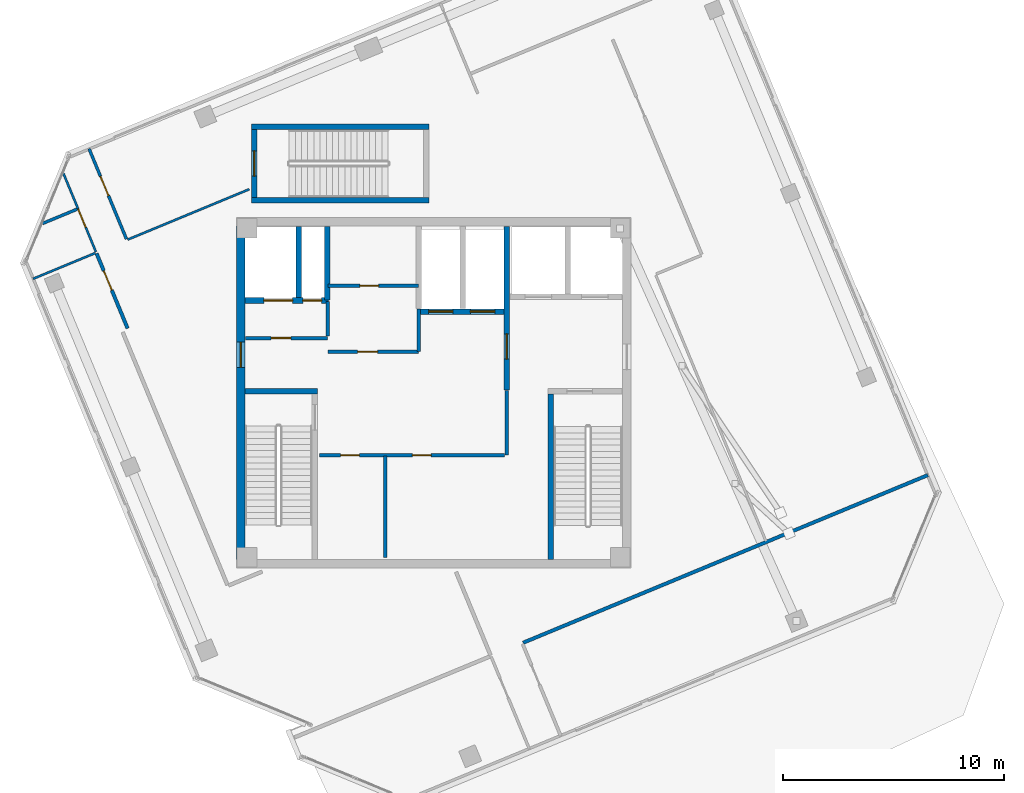
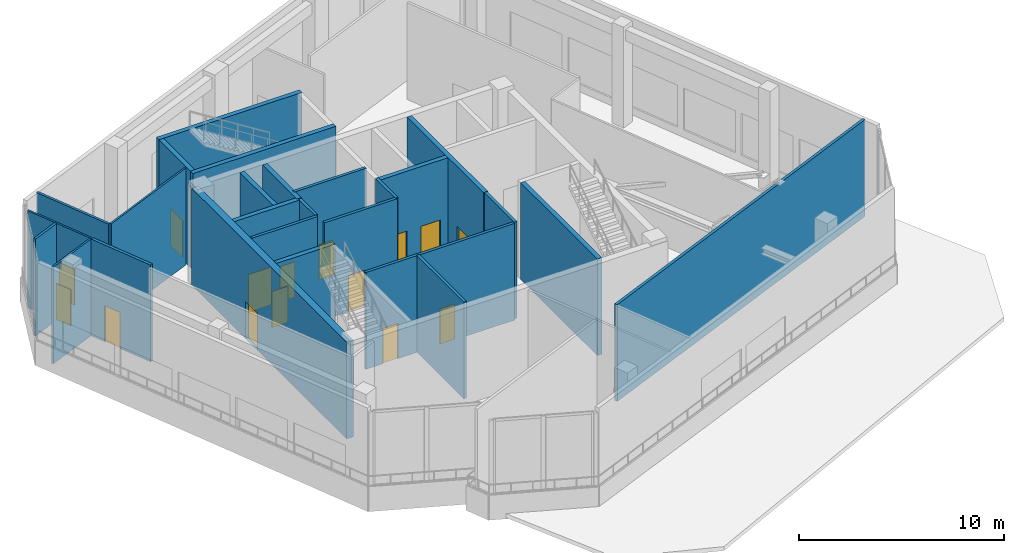
# One storey, part 8 of 16: 26 walls, 15 doors, 15 openings.
"""IFC4 building model written with IfcOpenShell, lengths in metres."""

from ifc_helpers import new_model, si_unit, direction, frame, frame_2d, origin, place, context, subcontext, project, spatial, rectangle, extrude, source, transform, mapped, material, layer, layer_set, type_object, element, fill, save


model = new_model("IFC4")

# Units and contexts
model_context = context("Model", 3, precision=1e-05, world=origin(), true_north=direction((0.0, 1.0)))
body_context = subcontext(model_context, "Body", "Model", "MODEL_VIEW")
ifc_project = project(units=[si_unit("LENGTHUNIT", "METRE"), si_unit("AREAUNIT", "SQUARE_METRE"), si_unit("VOLUMEUNIT", "CUBIC_METRE"), si_unit("PLANEANGLEUNIT", "RADIAN"), si_unit("MASSUNIT", "GRAM", prefix="KILO")], contexts=[model_context])

# Site, building, storey
site_placement = place(None, origin())
site = spatial("IfcSite", under=ifc_project, at=site_placement, CompositionType="ELEMENT")
building_placement = place(site_placement, origin())
building = spatial("IfcBuilding", under=site, at=building_placement, Name="Torre Montelarca", CompositionType="ELEMENT")
storey_placement = place(building_placement, frame((0.0, 0.0, 349.199951171875)))
storey = spatial("IfcBuildingStorey", under=building, at=storey_placement, Name="L79", CompositionType="ELEMENT", Elevation=349.199951171875)

# Walls
ifc_material_1 = material(Name="Concrete C40/50", Category="concrete")
ifc_layer_1 = layer(ifc_material_1, 0.25, Name="Concrete C40/50", Category="concrete")
ifc_layer_set_1 = layer_set([ifc_layer_1], Name="Concrete C40/50")
wall_type_1 = type_object("IfcWallType", Name="CW-SHAFT-250", PredefinedType="SHEAR", material=ifc_layer_set_1)
wall_1_placement = place(storey_placement, frame((9.4599609375, 32.074951171875, 0.0), z_axis=(0.0, 0.0, 1.0), x_axis=(1.0, 0.0, 0.0)))
element("IfcWall", 1, at=wall_1_placement, inside=storey, type_object=wall_type_1, Name="L79 Core Shear Wall SH-ST1-N", PredefinedType="SHEAR", context=body_context, shape_type="SweptSolid", body=[
    extrude(rectangle(XDim=3.2900390625, YDim=0.25, at=frame_2d((1.64501953125, 0.0))), origin(), (0.0, 0.0, 1.0), 5.760009765625),
])
wall_2_placement = place(storey_placement, frame((23.31494140625, 24.4599609375, 0.0), z_axis=(0.0, 0.0, 1.0), x_axis=(0.0, 1.0, 0.0)))
element("IfcWall", 2, at=wall_2_placement, inside=storey, type_object=wall_type_1, Name="L79 Core Shear Wall SH-ST2-W", PredefinedType="SHEAR", context=body_context, shape_type="SweptSolid", body=[
    extrude(rectangle(XDim=7.489990234375, YDim=0.25, at=frame_2d((3.7451171875, 0.0))), origin(), (0.0, 0.0, 1.0), 5.760009765625),
])

# Wall, opening, door
wall_3_placement = place(storey_placement, frame((21.320068359375, 32.1201171875, 0.0), z_axis=(0.0, 0.0, 1.0), x_axis=(0.0, 1.0, 0.0)))
wall_3 = element("IfcWall", 3, at=wall_3_placement, inside=storey, type_object=wall_type_1, Name="L79 Core Shear Wall SH-FFL-W", PredefinedType="SHEAR", context=body_context, shape_type="SweptSolid", body=[
    extrude(rectangle(XDim=7.419921875, YDim=0.25, at=frame_2d((3.7099609375, 0.0))), origin(), (0.0, 0.0, 1.0), 5.760009765625),
])
opening_1_placement = place(wall_3_placement, frame((1.39990234375, 0.0, 0.0)))
opening_1 = element("IfcOpeningElement", 4, at=opening_1_placement, cuts=wall_3, Name="Opening FD-LB1", PredefinedType="OPENING", context=body_context, shape_type="SweptSolid", body=[
    extrude(rectangle(XDim=1.14990234375, YDim=2.199951171875, at=frame_2d((0.574951171875, 1.10009765625))), frame((0.0, 0.135009765625, 0.0), z_axis=(0.0, -1.0, 0.0), x_axis=(1.0, 0.0, 0.0)), (0.0, 0.0, 1.0), 0.27001953125),
])
ifc_material_2 = material(Name="Acoustic timber-veneered fire door", Category="wood")
door_type_1 = type_object("IfcDoorType", Name="DR-LOBBY-115", OperationType="NOTDEFINED", PredefinedType="DOOR", material=ifc_material_2)
shared_shape_1 = source(origin(), body_context, "Body", "SweptSolid", [
    extrude(rectangle(XDim=1.14990234375, YDim=2.199951171875, at=frame_2d((0.574951171875, 1.10009765625))), frame((0.0, 0.02490234375, 0.0), z_axis=(0.0, -1.0, 0.0), x_axis=(1.0, 0.0, 0.0)), (0.0, 0.0, 1.0), 0.050048828125),
])
door_1_placement = place(opening_1_placement, origin())
door_1 = element("IfcDoor", 5, at=door_1_placement, inside=storey, type_object=door_type_1, Name="L79 Lift Lobby to Firefighting Lobby Smoke Door", OperationType="SINGLE_SWING_LEFT", OverallHeight=2.199951171875, OverallWidth=1.14990234375, PredefinedType="DOOR", context=body_context, shape_type="MappedRepresentation", body=[
    mapped(shared_shape_1, transform((0.0, 0.0, 0.0), scale=1.0)),
])
fill(opening_1, door_1)

# Wall, openings, doors
wall_4_placement = place(storey_placement, frame((9.4599609375, 36.179931640625, 0.0), z_axis=(0.0, 0.0, 1.0), x_axis=(1.0, 0.0, 0.0)))
wall_4 = element("IfcWall", 6, at=wall_4_placement, inside=storey, type_object=wall_type_1, Name="L79 Core Shear Wall SH-SV1-S", PredefinedType="SHEAR", context=body_context, shape_type="SweptSolid", body=[
    extrude(rectangle(XDim=3.7900390625, YDim=0.25, at=frame_2d((1.89501953125, 0.0))), origin(), (0.0, 0.0, 1.0), 5.760009765625),
])
opening_2_placement = place(wall_4_placement, frame((2.6201171875, 0.0, 0.0)))
opening_2 = element("IfcOpeningElement", 7, at=opening_2_placement, cuts=wall_4, Name="Opening FD-085", PredefinedType="OPENING", context=body_context, shape_type="SweptSolid", body=[
    extrude(rectangle(XDim=0.85009765625, YDim=2.10009765625, at=frame_2d((0.425048828125, 1.050048828125))), frame((0.0, 0.135009765625, 0.0), z_axis=(0.0, -1.0, 0.0), x_axis=(1.0, 0.0, 0.0)), (0.0, 0.0, 1.0), 0.27001953125),
])
opening_3_placement = place(wall_4_placement, frame((0.85009765625, 0.0, 0.0)))
opening_3 = element("IfcOpeningElement", 8, at=opening_3_placement, cuts=wall_4, Name="Opening LD-130", PredefinedType="OPENING", context=body_context, shape_type="SweptSolid", body=[
    extrude(rectangle(XDim=1.300048828125, YDim=2.25, at=frame_2d((0.64990234375, 1.125))), frame((0.0, 0.135009765625, 0.0), z_axis=(0.0, -1.0, 0.0), x_axis=(1.0, 0.0, 0.0)), (0.0, 0.0, 1.0), 0.27001953125),
])
ifc_material_3 = material(Name="Steel riser access fire door", Category="steel")
door_type_2 = type_object("IfcDoorType", Name="DR-RISER-085", OperationType="NOTDEFINED", PredefinedType="DOOR", material=ifc_material_3)
shared_shape_2 = source(origin(), body_context, "Body", "SweptSolid", [
    extrude(rectangle(XDim=0.85009765625, YDim=2.10009765625, at=frame_2d((0.425048828125, 1.050048828125))), frame((0.0, 0.02490234375, 0.0), z_axis=(0.0, -1.0, 0.0), x_axis=(1.0, 0.0, 0.0)), (0.0, 0.0, 1.0), 0.050048828125),
])
door_2_placement = place(opening_2_placement, origin())
door_2 = element("IfcDoor", 9, at=door_2_placement, inside=storey, type_object=door_type_2, Name="L79 Electrical Riser Shaft Access Door", OperationType="SINGLE_SWING_RIGHT", OverallHeight=2.10009765625, OverallWidth=0.85009765625, PredefinedType="DOOR", context=body_context, shape_type="MappedRepresentation", body=[
    mapped(shared_shape_2, transform((0.0, 0.0, 0.0), scale=1.0)),
])
fill(opening_2, door_2)
ifc_material_4 = material(Name="Brushed stainless steel AISI 316", Category="steel")
door_type_3 = type_object("IfcDoorType", Name="DR-LIFT-130", OperationType="SLIDING_TO_LEFT", PredefinedType="DOOR", material=ifc_material_4)
shared_shape_3 = source(origin(), body_context, "Body", "SweptSolid", [
    extrude(rectangle(XDim=1.300048828125, YDim=2.25, at=frame_2d((0.64990234375, 1.125))), frame((0.0, 0.02490234375, 0.0), z_axis=(0.0, -1.0, 0.0), x_axis=(1.0, 0.0, 0.0)), (0.0, 0.0, 1.0), 0.050048828125),
])
door_3_placement = place(opening_3_placement, origin())
door_3 = element("IfcDoor", 10, at=door_3_placement, inside=storey, type_object=door_type_3, Name="L79 Lift Landing Sliding Door SV-1", OperationType="SLIDING_TO_LEFT", OverallHeight=2.25, OverallWidth=1.300048828125, PredefinedType="DOOR", context=body_context, shape_type="MappedRepresentation", body=[
    mapped(shared_shape_3, transform((0.0, 0.0, 0.0), scale=1.0)),
])
fill(opening_3, door_3)

# Walls
wall_5_placement = place(storey_placement, frame((11.89990234375, 36.31005859375, 0.0), z_axis=(0.0, 0.0, 1.0), x_axis=(0.0, 1.0, 0.0)))
element("IfcWall", 11, at=wall_5_placement, inside=storey, type_object=wall_type_1, Name="L79 Core Shear Wall SH-SV1-E", PredefinedType="SHEAR", context=body_context, shape_type="SweptSolid", body=[
    extrude(rectangle(XDim=3.22998046875, YDim=0.25, at=frame_2d((1.614990234375, 0.0))), origin(), (0.0, 0.0, 1.0), 5.760009765625),
])
wall_6_placement = place(storey_placement, frame((13.179931640625, 36.199951171875, 0.0), z_axis=(0.0, 0.0, 1.0), x_axis=(0.0, 1.0, 0.0)))
element("IfcWall", 12, at=wall_6_placement, inside=storey, type_object=wall_type_1, Name="L79 Core Shear Wall SH-RSR1-E", PredefinedType="SHEAR", context=body_context, shape_type="SweptSolid", body=[
    extrude(rectangle(XDim=3.340087890625, YDim=0.25, at=frame_2d((1.669921875, 0.0))), origin(), (0.0, 0.0, 1.0), 5.760009765625),
])

# Wall, openings, doors
wall_7_placement = place(storey_placement, frame((17.320068359375, 35.679931640625, 0.0), z_axis=(0.0, 0.0, 1.0), x_axis=(1.0, 0.0, 0.0)))
wall_7 = element("IfcWall", 13, at=wall_7_placement, inside=storey, type_object=wall_type_1, Name="L79 Core Shear Wall SH-PLH-S", PredefinedType="SHEAR", context=body_context, shape_type="SweptSolid", body=[
    extrude(rectangle(XDim=3.869873046875, YDim=0.25, at=frame_2d((1.93505859375, 0.0))), origin(), (0.0, 0.0, 1.0), 5.760009765625),
])
opening_4_placement = place(wall_7_placement, frame((0.449951171875, 0.0, 0.0)))
opening_4 = element("IfcOpeningElement", 14, at=opening_4_placement, cuts=wall_7, Name="Opening LD-110", PredefinedType="OPENING", context=body_context, shape_type="SweptSolid", body=[
    extrude(rectangle(XDim=1.10009765625, YDim=2.199951171875, at=frame_2d((0.550048828125, 1.10009765625))), frame((0.0, 0.135009765625, 0.0), z_axis=(0.0, -1.0, 0.0), x_axis=(1.0, 0.0, 0.0)), (0.0, 0.0, 1.0), 0.27001953125),
])
opening_5_placement = place(wall_7_placement, frame((2.35009765625, 0.0, 0.0)))
opening_5 = element("IfcOpeningElement", 15, at=opening_5_placement, cuts=wall_7, Name="Opening LD-110", PredefinedType="OPENING", context=body_context, shape_type="SweptSolid", body=[
    extrude(rectangle(XDim=1.10009765625, YDim=2.199951171875, at=frame_2d((0.550048828125, 1.10009765625))), frame((0.0, 0.135009765625, 0.0), z_axis=(0.0, -1.0, 0.0), x_axis=(1.0, 0.0, 0.0)), (0.0, 0.0, 1.0), 0.27001953125),
])
door_type_4 = type_object("IfcDoorType", Name="DR-LIFT-110", OperationType="SLIDING_TO_LEFT", PredefinedType="DOOR", material=ifc_material_4)
shared_shape_4 = source(origin(), body_context, "Body", "SweptSolid", [
    extrude(rectangle(XDim=1.10009765625, YDim=2.199951171875, at=frame_2d((0.550048828125, 1.10009765625))), frame((0.0, 0.02490234375, 0.0), z_axis=(0.0, -1.0, 0.0), x_axis=(1.0, 0.0, 0.0)), (0.0, 0.0, 1.0), 0.050048828125),
])
door_4_placement = place(opening_4_placement, origin())
door_4 = element("IfcDoor", 16, at=door_4_placement, inside=storey, type_object=door_type_4, Name="L79 Lift Landing Sliding Door PL-H1", OperationType="SLIDING_TO_LEFT", OverallHeight=2.199951171875, OverallWidth=1.10009765625, PredefinedType="DOOR", context=body_context, shape_type="MappedRepresentation", body=[
    mapped(shared_shape_4, transform((0.0, 0.0, 0.0), scale=1.0)),
])
fill(opening_4, door_4)
door_5_placement = place(opening_5_placement, origin())
door_5 = element("IfcDoor", 17, at=door_5_placement, inside=storey, type_object=door_type_4, Name="L79 Lift Landing Sliding Door PL-H2", OperationType="SLIDING_TO_RIGHT", OverallHeight=2.199951171875, OverallWidth=1.10009765625, PredefinedType="DOOR", context=body_context, shape_type="MappedRepresentation", body=[
    mapped(shared_shape_4, transform((0.0, 0.0, 0.0), scale=1.0)),
])
fill(opening_5, door_5)

# Wall, opening, door
wall_8_placement = place(storey_placement, frame((9.875, 40.85009765625, 0.0), z_axis=(0.0, 0.0, 1.0), x_axis=(0.0, 1.0, 0.0)))
wall_8 = element("IfcWall", 18, at=wall_8_placement, inside=storey, type_object=wall_type_1, Name="L79 Core Shear Wall SH-ST5-W", PredefinedType="SHEAR", context=body_context, shape_type="SweptSolid", body=[
    extrude(rectangle(XDim=3.06982421875, YDim=0.25, at=frame_2d((1.534912109375, 0.0))), origin(), (0.0, 0.0, 1.0), 5.760009765625),
])
opening_6_placement = place(wall_8_placement, frame((0.9599609375, 0.0, 0.0)))
opening_6 = element("IfcOpeningElement", 19, at=opening_6_placement, cuts=wall_8, Name="Opening FD-LB1", PredefinedType="OPENING", context=body_context, shape_type="SweptSolid", body=[
    extrude(rectangle(XDim=1.14990234375, YDim=2.199951171875, at=frame_2d((0.574951171875, 1.10009765625))), frame((0.0, 0.135009765625, 0.0), z_axis=(0.0, -1.0, 0.0), x_axis=(1.0, 0.0, 0.0)), (0.0, 0.0, 1.0), 0.27001953125),
])
door_6_placement = place(opening_6_placement, origin())
door_6 = element("IfcDoor", 20, at=door_6_placement, inside=storey, type_object=door_type_1, Name="L79 Observatory Feature Stair ST5 Door", OperationType="SINGLE_SWING_RIGHT", OverallHeight=2.199951171875, OverallWidth=1.14990234375, PredefinedType="DOOR", context=body_context, shape_type="MappedRepresentation", body=[
    mapped(shared_shape_1, transform((0.0, 0.0, 0.0), scale=1.0)),
])
fill(opening_6, door_6)

# Walls
for number, where, z_axis, x_axis, name in (
    (21, (9.75, 40.72509765625, 0.0), (0.0, 0.0, 1.0), (1.0, 0.0, 0.0), "L79 Core Shear Wall SH-ST5-S"),
    (22, (9.75, 44.044921875, 0.0), (0.0, 0.0, 1.0), (1.0, 0.0, 0.0), "L79 Core Shear Wall SH-ST5-N"),
):
    element("IfcWall", number, at=place(storey_placement, frame(where, z_axis=z_axis, x_axis=x_axis)), inside=storey, type_object=wall_type_1, Name=name, PredefinedType="SHEAR", context=body_context, shape_type="SweptSolid", body=[
        extrude(rectangle(XDim=8.050048828125, YDim=0.25, at=frame_2d((4.02490234375, 0.0))), origin(), (0.0, 0.0, 1.0), 5.760009765625),
    ])

# Wall, opening, door
ifc_layer_2 = layer(ifc_material_1, 0.3798828125, Name="Concrete C40/50", Category="concrete")
ifc_layer_set_2 = layer_set([ifc_layer_2], Name="Concrete C40/50")
wall_type_2 = type_object("IfcWallType", Name="CW-SHEAR-380", PredefinedType="SHEAR", material=ifc_layer_set_2)
wall_9_placement = place(storey_placement, frame((9.260009765625, 24.449951171875, 0.0), z_axis=(0.0, 0.0, 1.0), x_axis=(0.0, 1.0, 0.0)))
wall_9 = element("IfcWall", 23, at=wall_9_placement, inside=storey, type_object=wall_type_2, Name="L79 Core Shear Wall CW-W", PredefinedType="SHEAR", context=body_context, shape_type="SweptSolid", body=[
    extrude(rectangle(XDim=15.10009765625, YDim=0.3798828125, at=frame_2d((7.550048828125, 0.0))), origin(), (0.0, 0.0, 1.0), 5.760009765625),
])
opening_7_placement = place(wall_9_placement, frame((8.699951171875, 0.0, 0.0)))
opening_7 = element("IfcOpeningElement", 24, at=opening_7_placement, cuts=wall_9, Name="Opening FD-LB1", PredefinedType="OPENING", context=body_context, shape_type="SweptSolid", body=[
    extrude(rectangle(XDim=1.14990234375, YDim=2.199951171875, at=frame_2d((0.574951171875, 1.10009765625))), frame((0.0, 0.199951171875, 0.0), z_axis=(0.0, -1.0, 0.0), x_axis=(1.0, 0.0, 0.0)), (0.0, 0.0, 1.0), 0.39990234375),
])
door_7_placement = place(opening_7_placement, origin())
door_7 = element("IfcDoor", 25, at=door_7_placement, inside=storey, type_object=door_type_1, Name="L79 Passenger Lift Lobby West Corridor Fire Door", OperationType="SINGLE_SWING_RIGHT", OverallHeight=2.199951171875, OverallWidth=1.14990234375, PredefinedType="DOOR", context=body_context, shape_type="MappedRepresentation", body=[
    mapped(shared_shape_1, transform((0.0, 0.0, 0.0), scale=1.0)),
])
fill(opening_7, door_7)

ifc_material_5 = material(Name="Gypsum plasterboard on steel stud", Category="steel")
ifc_layer_3 = layer(ifc_material_5, 0.159912109375, Name="Gypsum plasterboard on steel stud", Category="steel")
ifc_layer_set_3 = layer_set([ifc_layer_3], Name="Gypsum plasterboard on steel stud")
wall_type_3 = type_object("IfcWallType", Name="PW-FIRE-160", PredefinedType="PARTITIONING", material=ifc_layer_set_3)
wall_10_placement = place(storey_placement, frame((9.489990234375, 34.47998046875, 0.0), z_axis=(0.0, 0.0, 1.0), x_axis=(1.0, 0.0, 0.0)))
wall_10 = element("IfcWall", 26, at=wall_10_placement, inside=storey, type_object=wall_type_3, Name="L79 Interior Partition CW-L79-SVS", PredefinedType="PARTITIONING", context=body_context, shape_type="SweptSolid", body=[
    extrude(rectangle(XDim=3.699951171875, YDim=0.159912109375, at=frame_2d((1.85009765625, 0.0))), origin(), (0.0, 0.0, 1.0), 5.760009765625),
])
opening_8_placement = place(wall_10_placement, frame((1.14990234375, 0.0, 0.0)))
opening_8 = element("IfcOpeningElement", 27, at=opening_8_placement, cuts=wall_10, Name="Opening FD-090", PredefinedType="OPENING", context=body_context, shape_type="SweptSolid", body=[
    extrude(rectangle(XDim=0.89990234375, YDim=2.14990234375, at=frame_2d((0.449951171875, 1.074951171875))), frame((0.0, 0.08984375, 0.0), z_axis=(0.0, -1.0, 0.0), x_axis=(1.0, 0.0, 0.0)), (0.0, 0.0, 1.0), 0.179931640625),
])
ifc_material_6 = material(Name="Steel service fire door", Category="steel")
door_type_5 = type_object("IfcDoorType", Name="DR-FIRE-090", OperationType="NOTDEFINED", PredefinedType="DOOR", material=ifc_material_6)
shared_shape_5 = source(origin(), body_context, "Body", "SweptSolid", [
    extrude(rectangle(XDim=0.89990234375, YDim=2.14990234375, at=frame_2d((0.449951171875, 1.074951171875))), frame((0.0, 0.02490234375, 0.0), z_axis=(0.0, -1.0, 0.0), x_axis=(1.0, 0.0, 0.0)), (0.0, 0.0, 1.0), 0.050048828125),
])
door_8_placement = place(opening_8_placement, origin())
door_8 = element("IfcDoor", 28, at=door_8_placement, inside=storey, type_object=door_type_5, Name="L79 Interior Door 01", OperationType="SINGLE_SWING_RIGHT", OverallHeight=2.14990234375, OverallWidth=0.89990234375, PredefinedType="DOOR", context=body_context, shape_type="MappedRepresentation", body=[
    mapped(shared_shape_5, transform((0.0, 0.0, 0.0), scale=1.0)),
])
fill(opening_8, door_8)

# Wall
wall_11_placement = place(storey_placement, frame((13.199951171875, 34.570068359375, 0.0), z_axis=(0.0, 0.0, 1.0), x_axis=(0.0, 1.0, 0.0)))
element("IfcWall", 29, at=wall_11_placement, inside=storey, type_object=wall_type_3, Name="L79 Interior Partition CW-L79-SVE", PredefinedType="PARTITIONING", context=body_context, shape_type="SweptSolid", body=[
    extrude(rectangle(XDim=1.56982421875, YDim=0.159912109375, at=frame_2d((0.784912109375, 0.0))), origin(), (0.0, 0.0, 1.0), 5.760009765625),
])

# Wall, opening, door
wall_12_placement = place(storey_placement, frame((13.2099609375, 33.85009765625, 0.0), z_axis=(0.0, 0.0, 1.0), x_axis=(1.0, 0.0, 0.0)))
wall_12 = element("IfcWall", 30, at=wall_12_placement, inside=storey, type_object=wall_type_3, Name="L79 Interior Partition CW-L79-FRMS", PredefinedType="PARTITIONING", context=body_context, shape_type="SweptSolid", body=[
    extrude(rectangle(XDim=4.10009765625, YDim=0.159912109375, at=frame_2d((2.050048828125, 0.0))), origin(), (0.0, 0.0, 1.0), 5.760009765625),
])
opening_9_placement = place(wall_12_placement, frame((1.35009765625, 0.0, 0.0)))
opening_9 = element("IfcOpeningElement", 31, at=opening_9_placement, cuts=wall_12, Name="Opening FD-090", PredefinedType="OPENING", context=body_context, shape_type="SweptSolid", body=[
    extrude(rectangle(XDim=0.89990234375, YDim=2.14990234375, at=frame_2d((0.449951171875, 1.074951171875))), frame((0.0, 0.08984375, 0.0), z_axis=(0.0, -1.0, 0.0), x_axis=(1.0, 0.0, 0.0)), (0.0, 0.0, 1.0), 0.179931640625),
])
door_9_placement = place(opening_9_placement, origin())
door_9 = element("IfcDoor", 32, at=door_9_placement, inside=storey, type_object=door_type_5, Name="L79 Interior Door 02", OperationType="SINGLE_SWING_LEFT", OverallHeight=2.14990234375, OverallWidth=0.89990234375, PredefinedType="DOOR", context=body_context, shape_type="MappedRepresentation", body=[
    mapped(shared_shape_5, transform((0.0, 0.0, 0.0), scale=1.0)),
])
fill(opening_9, door_9)

# Wall
wall_13_placement = place(storey_placement, frame((17.320068359375, 33.860107421875, 0.0), z_axis=(0.0, 0.0, 1.0), x_axis=(0.0, 1.0, 0.0)))
element("IfcWall", 33, at=wall_13_placement, inside=storey, type_object=wall_type_3, Name="L79 Interior Partition CW-L79-FRME", PredefinedType="PARTITIONING", context=body_context, shape_type="SweptSolid", body=[
    extrude(rectangle(XDim=1.929931640625, YDim=0.159912109375, at=frame_2d((0.96484375, 0.0))), origin(), (0.0, 0.0, 1.0), 5.760009765625),
])

# Wall, opening, door
wall_14_placement = place(storey_placement, frame((13.2099609375, 36.85009765625, 0.0), z_axis=(0.0, 0.0, 1.0), x_axis=(1.0, 0.0, 0.0)))
wall_14 = element("IfcWall", 34, at=wall_14_placement, inside=storey, type_object=wall_type_3, Name="L79 Interior Partition CW-L79-FRMD", PredefinedType="PARTITIONING", context=body_context, shape_type="SweptSolid", body=[
    extrude(rectangle(XDim=4.10009765625, YDim=0.159912109375, at=frame_2d((2.050048828125, 0.0))), origin(), (0.0, 0.0, 1.0), 5.760009765625),
])
opening_10_placement = place(wall_14_placement, frame((1.449951171875, 0.0, 0.0)))
opening_10 = element("IfcOpeningElement", 35, at=opening_10_placement, cuts=wall_14, Name="Opening FD-085", PredefinedType="OPENING", context=body_context, shape_type="SweptSolid", body=[
    extrude(rectangle(XDim=0.85009765625, YDim=2.10009765625, at=frame_2d((0.425048828125, 1.050048828125))), frame((0.0, 0.08984375, 0.0), z_axis=(0.0, -1.0, 0.0), x_axis=(1.0, 0.0, 0.0)), (0.0, 0.0, 1.0), 0.179931640625),
])
door_10_placement = place(opening_10_placement, origin())
door_10 = element("IfcDoor", 36, at=door_10_placement, inside=storey, type_object=door_type_2, Name="L79 Interior Door 03", OperationType="SINGLE_SWING_RIGHT", OverallHeight=2.10009765625, OverallWidth=0.85009765625, PredefinedType="DOOR", context=body_context, shape_type="MappedRepresentation", body=[
    mapped(shared_shape_2, transform((0.0, 0.0, 0.0), scale=1.0)),
])
fill(opening_10, door_10)

# Wall, openings, doors
wall_15_placement = place(storey_placement, frame((12.840087890625, 29.179931640625, 0.0), z_axis=(0.0, 0.0, 1.0), x_axis=(1.0, 0.0, 0.0)))
wall_15 = element("IfcWall", 37, at=wall_15_placement, inside=storey, type_object=wall_type_3, Name="L79 Interior Partition CW-L79-FRDN", PredefinedType="PARTITIONING", context=body_context, shape_type="SweptSolid", body=[
    extrude(rectangle(XDim=8.369873046875, YDim=0.159912109375, at=frame_2d((4.18505859375, 0.0))), origin(), (0.0, 0.0, 1.0), 5.760009765625),
])
opening_11_placement = place(wall_15_placement, frame((0.949951171875, 0.0, 0.0)))
opening_11 = element("IfcOpeningElement", 38, at=opening_11_placement, cuts=wall_15, Name="Opening FD-085", PredefinedType="OPENING", context=body_context, shape_type="SweptSolid", body=[
    extrude(rectangle(XDim=0.85009765625, YDim=2.10009765625, at=frame_2d((0.425048828125, 1.050048828125))), frame((0.0, 0.08984375, 0.0), z_axis=(0.0, -1.0, 0.0), x_axis=(1.0, 0.0, 0.0)), (0.0, 0.0, 1.0), 0.179931640625),
])
opening_12_placement = place(wall_15_placement, frame((4.199951171875, 0.0, 0.0)))
opening_12 = element("IfcOpeningElement", 39, at=opening_12_placement, cuts=wall_15, Name="Opening FD-085", PredefinedType="OPENING", context=body_context, shape_type="SweptSolid", body=[
    extrude(rectangle(XDim=0.85009765625, YDim=2.10009765625, at=frame_2d((0.425048828125, 1.050048828125))), frame((0.0, 0.08984375, 0.0), z_axis=(0.0, -1.0, 0.0), x_axis=(1.0, 0.0, 0.0)), (0.0, 0.0, 1.0), 0.179931640625),
])
door_11_placement = place(opening_11_placement, origin())
door_11 = element("IfcDoor", 40, at=door_11_placement, inside=storey, type_object=door_type_2, Name="L79 Interior Door 04", OperationType="SINGLE_SWING_LEFT", OverallHeight=2.10009765625, OverallWidth=0.85009765625, PredefinedType="DOOR", context=body_context, shape_type="MappedRepresentation", body=[
    mapped(shared_shape_2, transform((0.0, 0.0, 0.0), scale=1.0)),
])
fill(opening_11, door_11)
door_12_placement = place(opening_12_placement, origin())
door_12 = element("IfcDoor", 41, at=door_12_placement, inside=storey, type_object=door_type_2, Name="L79 Interior Door 05", OperationType="SINGLE_SWING_RIGHT", OverallHeight=2.10009765625, OverallWidth=0.85009765625, PredefinedType="DOOR", context=body_context, shape_type="MappedRepresentation", body=[
    mapped(shared_shape_2, transform((0.0, 0.0, 0.0), scale=1.0)),
])
fill(opening_12, door_12)

# Walls
wall_16_placement = place(storey_placement, frame((15.800048828125, 24.5400390625, 0.0), z_axis=(0.0, 0.0, 1.0), x_axis=(0.0, 1.0, 0.0)))
element("IfcWall", 42, at=wall_16_placement, inside=storey, type_object=wall_type_3, Name="L79 Interior Partition CW-L79-FRD1", PredefinedType="PARTITIONING", context=body_context, shape_type="SweptSolid", body=[
    extrude(rectangle(XDim=4.599853515625, YDim=0.159912109375, at=frame_2d((2.2998046875, 0.0))), origin(), (0.0, 0.0, 1.0), 5.760009765625),
])
wall_17_placement = place(storey_placement, frame((21.320068359375, 29.18994140625, 0.0), z_axis=(0.0, 0.0, 1.0), x_axis=(0.0, 1.0, 0.0)))
element("IfcWall", 43, at=wall_17_placement, inside=storey, type_object=wall_type_3, Name="L79 Interior Partition CW-L79-FRE", PredefinedType="PARTITIONING", context=body_context, shape_type="SweptSolid", body=[
    extrude(rectangle(XDim=2.920166015625, YDim=0.159912109375, at=frame_2d((1.4599609375, 0.0))), origin(), (0.0, 0.0, 1.0), 5.760009765625),
])

# Wall, opening, door
wall_18_placement = place(storey_placement, frame((2.737060546875, 38.31005859375, 0.0), z_axis=(0.0, 0.0, 1.0), x_axis=(0.382706260748, -0.923870076355, 0.0)))
wall_18 = element("IfcWall", 44, at=wall_18_placement, inside=storey, type_object=wall_type_3, Name="L79 Interior Partition W-L79-SOCCN", PredefinedType="PARTITIONING", context=body_context, shape_type="SweptSolid", body=[
    extrude(rectangle(XDim=3.669921875, YDim=0.159912109375, at=frame_2d((1.8349609375, 0.0))), origin(), (0.0, 0.0, 1.0), 5.760009765625),
])
opening_13_placement = place(wall_18_placement, frame((0.85009765625, 0.0, 0.0)))
opening_13 = element("IfcOpeningElement", 45, at=opening_13_placement, cuts=wall_18, Name="Opening FD-095", PredefinedType="OPENING", context=body_context, shape_type="SweptSolid", body=[
    extrude(rectangle(XDim=0.949951171875, YDim=2.14990234375, at=frame_2d((0.47509765625, 1.074951171875))), frame((0.0, 0.08984375, 0.0), z_axis=(0.0, -1.0, 0.0), x_axis=(1.0, 0.0, 0.0)), (0.0, 0.0, 1.0), 0.179931640625),
])
ifc_material_7 = material(Name="Timber fire-rated room door", Category="wood")
door_type_6 = type_object("IfcDoorType", Name="DR-FIRE-095", OperationType="NOTDEFINED", PredefinedType="DOOR", material=ifc_material_7)
shared_shape_6 = source(origin(), body_context, "Body", "SweptSolid", [
    extrude(rectangle(XDim=0.949951171875, YDim=2.14990234375, at=frame_2d((0.47509765625, 1.074951171875))), frame((0.0, 0.02490234375, 0.0), z_axis=(0.0, -1.0, 0.0), x_axis=(1.0, 0.0, 0.0)), (0.0, 0.0, 1.0), 0.050048828125),
])
door_13_placement = place(opening_13_placement, origin())
door_13 = element("IfcDoor", 46, at=door_13_placement, inside=storey, type_object=door_type_6, Name="L79 Interior Door 08", OperationType="SINGLE_SWING_LEFT", OverallHeight=2.14990234375, OverallWidth=0.949951171875, PredefinedType="DOOR", context=body_context, shape_type="MappedRepresentation", body=[
    mapped(shared_shape_6, transform((0.0, 0.0, 0.0), scale=1.0)),
])
fill(opening_13, door_13)

# Wall
wall_19_placement = place(storey_placement, frame((22.05419921875, 20.680419921875, 0.0), z_axis=(0.0, 0.0, 1.0), x_axis=(0.923880950116, 0.382680009946, 0.0)))
element("IfcWall", 47, at=wall_19_placement, inside=storey, type_object=wall_type_3, Name="L79 Interior Partition W-L79-ECN", PredefinedType="PARTITIONING", context=body_context, shape_type="SweptSolid", body=[
    extrude(rectangle(XDim=19.83984375, YDim=0.159912109375, at=frame_2d((9.919921875, 0.0))), origin(), (0.0, 0.0, 1.0), 5.760009765625),
])

# Wall, opening, door
ifc_material_8 = material(Name="Acoustic laminated glass partition", Category="glass")
ifc_layer_4 = layer(ifc_material_8, 0.10009765625, Name="Acoustic laminated glass partition", Category="glass")
ifc_layer_set_4 = layer_set([ifc_layer_4], Name="Acoustic laminated glass partition")
wall_type_4 = type_object("IfcWallType", Name="PW-GLAZ-100", PredefinedType="PARTITIONING", material=ifc_layer_set_4)
wall_20_placement = place(storey_placement, frame((1.232421875, 41.942626953125, 0.0), z_axis=(0.0, 0.0, 1.0), x_axis=(0.382652221475, -0.923892459868, 0.0)))
wall_20 = element("IfcWall", 48, at=wall_20_placement, inside=storey, type_object=wall_type_4, Name="L79 Interior Partition W-L79-WCN", PredefinedType="PARTITIONING", context=body_context, shape_type="SweptSolid", body=[
    extrude(rectangle(XDim=3.851806640625, YDim=0.10009765625, at=frame_2d((1.92578125, 0.0))), origin(), (0.0, 0.0, 1.0), 5.760009765625),
])
opening_14_placement = place(wall_20_placement, frame((1.75, 0.0, 0.0)))
opening_14 = element("IfcOpeningElement", 49, at=opening_14_placement, cuts=wall_20, Name="Opening ID-090", PredefinedType="OPENING", context=body_context, shape_type="SweptSolid", body=[
    extrude(rectangle(XDim=0.89990234375, YDim=2.14990234375, at=frame_2d((0.449951171875, 1.074951171875))), frame((0.0, 0.06005859375, 0.0), z_axis=(0.0, -1.0, 0.0), x_axis=(1.0, 0.0, 0.0)), (0.0, 0.0, 1.0), 0.1201171875),
])
ifc_material_9 = material(Name="Hardwood acoustic timber veneer", Category="wood")
door_type_7 = type_object("IfcDoorType", Name="DR-INT-090", OperationType="NOTDEFINED", PredefinedType="DOOR", material=ifc_material_9)
shared_shape_7 = source(origin(), body_context, "Body", "SweptSolid", [
    extrude(rectangle(XDim=0.89990234375, YDim=2.14990234375, at=frame_2d((0.449951171875, 1.074951171875))), frame((0.0, 0.02490234375, 0.0), z_axis=(0.0, -1.0, 0.0), x_axis=(1.0, 0.0, 0.0)), (0.0, 0.0, 1.0), 0.050048828125),
])
door_14_placement = place(opening_14_placement, origin())
door_14 = element("IfcDoor", 50, at=door_14_placement, inside=storey, type_object=door_type_7, Name="L79 Interior Door 06", OperationType="SINGLE_SWING_LEFT", OverallHeight=2.14990234375, OverallWidth=0.89990234375, PredefinedType="DOOR", context=body_context, shape_type="MappedRepresentation", body=[
    mapped(shared_shape_7, transform((0.0, 0.0, 0.0), scale=1.0)),
])
fill(opening_14, door_14)

# Walls
wall_21_placement = place(storey_placement, frame((-0.142333984375, 37.16064453125, 0.0), z_axis=(0.0, 0.0, 1.0), x_axis=(0.923868053335, 0.382711144374, 0.0)))
element("IfcWall", 51, at=wall_21_placement, inside=storey, type_object=wall_type_4, Name="L79 Interior Partition W-L79-SWCDIV", PredefinedType="PARTITIONING", context=body_context, shape_type="SweptSolid", body=[
    extrude(rectangle(XDim=3.06005859375, YDim=0.10009765625, at=frame_2d((1.530029296875, 0.0))), origin(), (0.0, 0.0, 1.0), 5.760009765625),
])
wall_22_placement = place(storey_placement, frame((4.14453125, 38.936279296875, 0.0), z_axis=(0.0, 0.0, 1.0), x_axis=(0.923878093623, 0.38268690613, 0.0)))
element("IfcWall", 52, at=wall_22_placement, inside=storey, type_object=wall_type_4, Name="L79 Interior Partition W-L79-WPKE", PredefinedType="PARTITIONING", context=body_context, shape_type="SweptSolid", body=[
    extrude(rectangle(XDim=5.96240234375, YDim=0.10009765625, at=frame_2d((2.981201171875, 0.0))), origin(), (0.0, 0.0, 1.0), 5.760009765625),
])
ifc_layer_5 = layer(ifc_material_5, 0.135009765625, Name="Gypsum plasterboard on steel stud", Category="steel")
ifc_layer_set_5 = layer_set([ifc_layer_5], Name="Gypsum plasterboard on steel stud")
wall_type_5 = type_object("IfcWallType", Name="PW-PART-135", PredefinedType="PARTITIONING", material=ifc_layer_set_5)
wall_23_placement = place(storey_placement, frame((0.28955078125, 39.666748046875, 0.0), z_axis=(0.0, 0.0, 1.0), x_axis=(0.923855963606, 0.38274032778, 0.0)))
element("IfcWall", 53, at=wall_23_placement, inside=storey, type_object=wall_type_5, Name="L79 Interior Partition W-L79-WCD", PredefinedType="PARTITIONING", context=body_context, shape_type="SweptSolid", body=[
    extrude(rectangle(XDim=1.701904296875, YDim=0.135009765625, at=frame_2d((0.85107421875, 0.0))), origin(), (0.0, 0.0, 1.0), 5.760009765625),
])

# Wall, opening, door
wall_24_placement = place(storey_placement, frame((2.39697265625, 43.05078125, 0.0), z_axis=(0.0, 0.0, 1.0), x_axis=(0.382689257808, -0.923877119512, 0.0)))
wall_24 = element("IfcWall", 54, at=wall_24_placement, inside=storey, type_object=wall_type_5, Name="L79 Interior Partition W-L79-WPKS", PredefinedType="PARTITIONING", context=body_context, shape_type="SweptSolid", body=[
    extrude(rectangle(XDim=4.429931640625, YDim=0.135009765625, at=frame_2d((2.21484375, 0.0))), origin(), (0.0, 0.0, 1.0), 5.760009765625),
])
opening_15_placement = place(wall_24_placement, frame((1.35009765625, 0.0, 0.0)))
opening_15 = element("IfcOpeningElement", 55, at=opening_15_placement, cuts=wall_24, Name="Opening ID-095", PredefinedType="OPENING", context=body_context, shape_type="SweptSolid", body=[
    extrude(rectangle(XDim=0.949951171875, YDim=2.14990234375, at=frame_2d((0.47509765625, 1.074951171875))), frame((0.0, 0.07763671875, 0.0), z_axis=(0.0, -1.0, 0.0), x_axis=(1.0, 0.0, 0.0)), (0.0, 0.0, 1.0), 0.155029296875),
])
door_type_8 = type_object("IfcDoorType", Name="DR-INT-095", OperationType="NOTDEFINED", PredefinedType="DOOR", material=ifc_material_9)
shared_shape_8 = source(origin(), body_context, "Body", "SweptSolid", [
    extrude(rectangle(XDim=0.949951171875, YDim=2.14990234375, at=frame_2d((0.47509765625, 1.074951171875))), frame((0.0, 0.02490234375, 0.0), z_axis=(0.0, -1.0, 0.0), x_axis=(1.0, 0.0, 0.0)), (0.0, 0.0, 1.0), 0.050048828125),
])
door_15_placement = place(opening_15_placement, origin())
door_15 = element("IfcDoor", 56, at=door_15_placement, inside=storey, type_object=door_type_8, Name="L79 Interior Door 10", OperationType="SINGLE_SWING_LEFT", OverallHeight=2.14990234375, OverallWidth=0.949951171875, PredefinedType="DOOR", context=body_context, shape_type="MappedRepresentation", body=[
    mapped(shared_shape_8, transform((0.0, 0.0, 0.0), scale=1.0)),
])
fill(opening_15, door_15)

save(model, "model.ifc")
